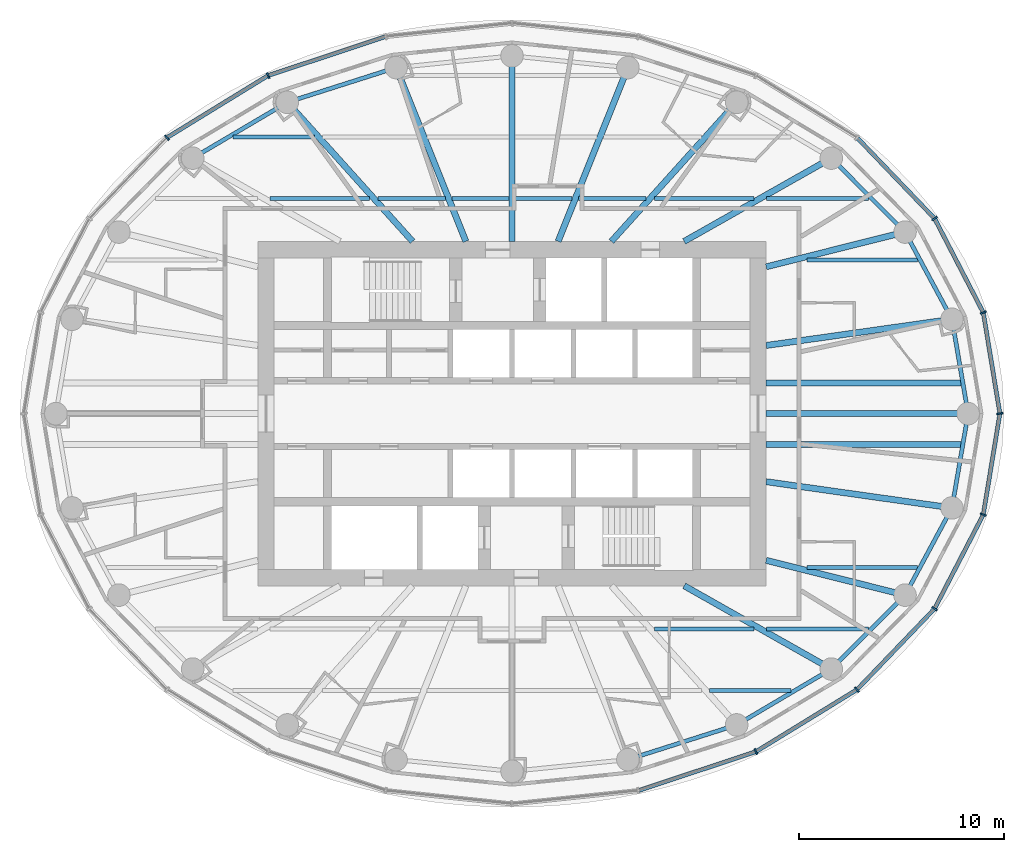
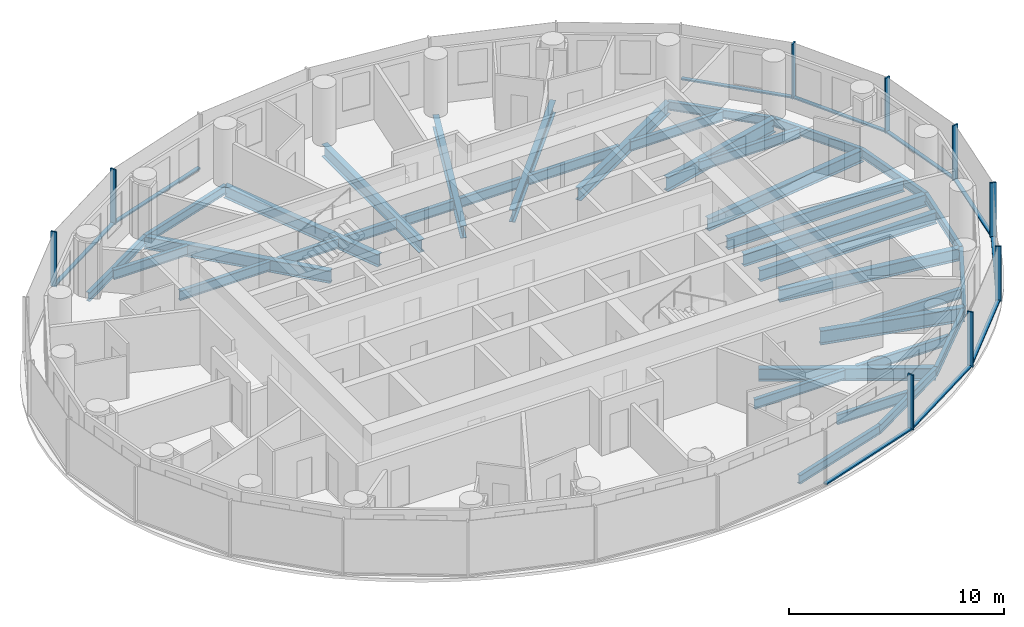
# One storey, part 3 of 13: 37 beams, 19 members, 3 elements without a shape of their own.
"""IFC4 building model written with IfcOpenShell, lengths in metres."""

from ifc_helpers import new_model, si_unit, direction, frame, origin, origin_2d, place, context, subcontext, project, spatial, rectangle, i_section, extrude, material, material_profile, profile_set, type_object, element, aggregate, save


model = new_model("IFC4")

# Units and contexts
model_context = context("Model", 3, precision=1e-05, world=origin(), true_north=direction((0.0, 1.0)))
body_context = subcontext(model_context, "Body", "Model", "MODEL_VIEW")
ifc_project = project(units=[si_unit("LENGTHUNIT", "METRE"), si_unit("AREAUNIT", "SQUARE_METRE"), si_unit("VOLUMEUNIT", "CUBIC_METRE"), si_unit("PLANEANGLEUNIT", "RADIAN"), si_unit("MASSUNIT", "GRAM", prefix="KILO")], contexts=[model_context])

# Site, building, storey
site_placement = place(None, origin())
site = spatial("IfcSite", under=ifc_project, at=site_placement, CompositionType="ELEMENT")
building_placement = place(site_placement, origin())
building = spatial("IfcBuilding", under=site, at=building_placement, Name="Hankou Lantern Tower", CompositionType="ELEMENT")
storey_placement = place(building_placement, frame((0.0, 0.0, 163.199951171875)))
storey = spatial("IfcBuildingStorey", under=building, at=storey_placement, Name="L43", CompositionType="ELEMENT", Elevation=163.199951171875)

# Beams
ifc_material_1 = material(Name="Steel Q355B", Category="steel")
ifc_material_profile_1 = material_profile(ifc_material_1, i_section(OverallWidth=0.199951171875, OverallDepth=0.5, WebThickness=0.010009765625, FlangeThickness=0.01611328125, FilletRadius=0.012939453125, at=origin_2d()), Name="HN500x200x10x16")
ifc_profile_set_1 = profile_set([ifc_material_profile_1], Name="Steel Q355B")
beam_type_1 = type_object("IfcBeamType", Name="EB5 RING BEAM HN500x200x10x16", PredefinedType="SPANDREL", material=ifc_profile_set_1)
beam_1_placement = place(storey_placement, frame((22.25, 0.0, -0.429931640625), z_axis=(-0.168680718946, 0.985670743735, 0.0), x_axis=(-0.985670743735, -0.168680718946, 0.0)))
element("IfcBeam", 1, at=beam_1_placement, inside=storey, type_object=beam_type_1, Name="Ring beam R01-R02 L43", PredefinedType="SPANDREL", context=body_context, shape_type="SweptSolid", body=[
    extrude(i_section(OverallWidth=0.199951171875, OverallDepth=0.5, WebThickness=0.010009765625, FlangeThickness=0.01611328125, FilletRadius=0.012939453125, at=origin_2d()), origin(), (0.0, 0.0, 1.0), 4.667724609375),
])
beam_2_placement = place(storey_placement, frame((21.462646484375, 4.600830078125, -0.429931640625), z_axis=(-0.474051612334, 0.880497057828, 0.0), x_axis=(-0.880497057828, -0.474051612334, 0.0)))
element("IfcBeam", 2, at=beam_2_placement, inside=storey, type_object=beam_type_1, Name="Ring beam R02-R03 L43", PredefinedType="SPANDREL", context=body_context, shape_type="SweptSolid", body=[
    extrude(i_section(OverallWidth=0.199951171875, OverallDepth=0.5, WebThickness=0.010009765625, FlangeThickness=0.01611328125, FilletRadius=0.012939453125, at=origin_2d()), origin(), (0.0, 0.0, 1.0), 4.831787109375),
])
beam_3_placement = place(storey_placement, frame((19.172119140625, 8.855224609375, -0.429931640625), z_axis=(-0.706147278092, 0.708064984054, 0.0), x_axis=(-0.708064984054, -0.706147278092, 0.0)))
element("IfcBeam", 3, at=beam_3_placement, inside=storey, type_object=beam_type_1, Name="Ring beam R03-R04 L43", PredefinedType="SPANDREL", context=body_context, shape_type="SweptSolid", body=[
    extrude(i_section(OverallWidth=0.199951171875, OverallDepth=0.5, WebThickness=0.010009765625, FlangeThickness=0.01611328125, FilletRadius=0.012939453125, at=origin_2d()), origin(), (0.0, 0.0, 1.0), 5.09228515625),
])
beam_4_placement = place(storey_placement, frame((-5.65283203125, 16.87744140625, -0.429931640625), z_axis=(-0.952790404271, -0.30362879562, 0.0), x_axis=(0.30362879562, -0.952790404271, 0.0)))
element("IfcBeam", 4, at=beam_4_placement, inside=storey, type_object=beam_type_1, Name="Ring beam R08-R09 L43", PredefinedType="SPANDREL", context=body_context, shape_type="SweptSolid", body=[
    extrude(i_section(OverallWidth=0.199951171875, OverallDepth=0.5, WebThickness=0.010009765625, FlangeThickness=0.01611328125, FilletRadius=0.012939453125, at=origin_2d()), origin(), (0.0, 0.0, 1.0), 5.56982421875),
])
beam_5_placement = place(storey_placement, frame((-10.959716796875, 15.186279296875, -0.429931640625), z_axis=(-0.861135888339, -0.508374843806, 0.0), x_axis=(0.508374843806, -0.861135888339, 0.0)))
element("IfcBeam", 5, at=beam_5_placement, inside=storey, type_object=beam_type_1, Name="Ring beam R09-R10 L43", PredefinedType="SPANDREL", context=body_context, shape_type="SweptSolid", body=[
    extrude(i_section(OverallWidth=0.199951171875, OverallDepth=0.5, WebThickness=0.010009765625, FlangeThickness=0.01611328125, FilletRadius=0.012939453125, at=origin_2d()), origin(), (0.0, 0.0, 1.0), 5.36083984375),
])
beam_6_placement = place(storey_placement, frame((5.65283203125, -16.87744140625, -0.429931640625), z_axis=(0.952790404271, 0.30362879562, 0.0), x_axis=(-0.30362879562, 0.952790404271, 0.0)))
element("IfcBeam", 6, at=beam_6_placement, inside=storey, type_object=beam_type_1, Name="Ring beam R20-R21 L43", PredefinedType="SPANDREL", context=body_context, shape_type="SweptSolid", body=[
    extrude(i_section(OverallWidth=0.199951171875, OverallDepth=0.5, WebThickness=0.010009765625, FlangeThickness=0.01611328125, FilletRadius=0.012939453125, at=origin_2d()), origin(), (0.0, 0.0, 1.0), 5.56982421875),
])
beam_7_placement = place(storey_placement, frame((10.959716796875, -15.186279296875, -0.429931640625), z_axis=(0.861135888339, 0.508374843806, 0.0), x_axis=(-0.508374843806, 0.861135888339, 0.0)))
element("IfcBeam", 7, at=beam_7_placement, inside=storey, type_object=beam_type_1, Name="Ring beam R21-R22 L43", PredefinedType="SPANDREL", context=body_context, shape_type="SweptSolid", body=[
    extrude(i_section(OverallWidth=0.199951171875, OverallDepth=0.5, WebThickness=0.010009765625, FlangeThickness=0.01611328125, FilletRadius=0.012939453125, at=origin_2d()), origin(), (0.0, 0.0, 1.0), 5.36083984375),
])
beam_8_placement = place(storey_placement, frame((15.576171875, -12.4609375, -0.429931640625), z_axis=(0.706147278092, 0.708064984054, 0.0), x_axis=(-0.708064984054, 0.706147278092, 0.0)))
element("IfcBeam", 8, at=beam_8_placement, inside=storey, type_object=beam_type_1, Name="Ring beam R22-R23 L43", PredefinedType="SPANDREL", context=body_context, shape_type="SweptSolid", body=[
    extrude(i_section(OverallWidth=0.199951171875, OverallDepth=0.5, WebThickness=0.010009765625, FlangeThickness=0.01611328125, FilletRadius=0.012939453125, at=origin_2d()), origin(), (0.0, 0.0, 1.0), 5.09228515625),
])
beam_9_placement = place(storey_placement, frame((19.172119140625, -8.855224609375, -0.429931640625), z_axis=(0.474051612334, 0.880497057828, 0.0), x_axis=(-0.880497057828, 0.474051612334, 0.0)))
element("IfcBeam", 9, at=beam_9_placement, inside=storey, type_object=beam_type_1, Name="Ring beam R23-R24 L43", PredefinedType="SPANDREL", context=body_context, shape_type="SweptSolid", body=[
    extrude(i_section(OverallWidth=0.199951171875, OverallDepth=0.5, WebThickness=0.010009765625, FlangeThickness=0.01611328125, FilletRadius=0.012939453125, at=origin_2d()), origin(), (0.0, 0.0, 1.0), 4.831787109375),
])
beam_10_placement = place(storey_placement, frame((21.462646484375, -4.600830078125, -0.429931640625), z_axis=(0.168680718946, 0.985670743735, 0.0), x_axis=(-0.985670743735, 0.168680718946, 0.0)))
element("IfcBeam", 10, at=beam_10_placement, inside=storey, type_object=beam_type_1, Name="Ring beam R24-R01 L43", PredefinedType="SPANDREL", context=body_context, shape_type="SweptSolid", body=[
    extrude(i_section(OverallWidth=0.199951171875, OverallDepth=0.5, WebThickness=0.010009765625, FlangeThickness=0.01611328125, FilletRadius=0.012939453125, at=origin_2d()), origin(), (0.0, 0.0, 1.0), 4.667724609375),
])

# Curtain wall, members
ifc_material_2 = material(Name="Glass, dark grey tinted laminated", Category="glass")
curtain_wall_type = type_object("IfcCurtainWallType", Name="CWC OUTER SKIN HIGH-RISE", PredefinedType="USERDEFINED", material=ifc_material_2)
curtain_wall_1_placement = place(storey_placement, origin())
curtain_wall_1 = element("IfcCurtainWall", 11, at=curtain_wall_1_placement, inside=storey, type_object=curtain_wall_type, Name="CWC L43 OS1", ObjectType="OUTER SKIN HIGH-RISE", PredefinedType="USERDEFINED")
ifc_material_3 = material(Name="Aluminium, black anodised", Category="aluminium")
ifc_material_profile_2 = material_profile(ifc_material_3, rectangle(XDim=0.080078125, YDim=0.300048828125, at=origin_2d()), Name="MU1 80X300")
ifc_profile_set_2 = profile_set([ifc_material_profile_2], Name="Aluminium, black anodised")
member_type_1 = type_object("IfcMemberType", Name="MU1 OUTER SKIN MULLION 80X300", PredefinedType="MULLION", material=ifc_profile_set_2)
member_1_placement = place(storey_placement, frame((23.800048828125, 0.0, 0.0), z_axis=(0.0, 0.0, 1.0), x_axis=(-0.162381515188, 0.986728049427, 0.0)))
member_1 = element("IfcMember", 12, at=member_1_placement, type_object=member_type_1, Name="CWC mullion 1", PredefinedType="MULLION", context=body_context, shape_type="SweptSolid", body=[
    extrude(rectangle(XDim=0.080078125, YDim=0.300048828125, at=origin_2d()), origin(), (0.0, 0.0, 1.0), 3.1201171875),
])
member_2_placement = place(storey_placement, frame((22.989013671875, 4.927978515625, 0.0), z_axis=(0.0, 0.0, 1.0), x_axis=(-0.317595577365, 0.94822626479, 0.0)))
member_2 = element("IfcMember", 13, at=member_2_placement, type_object=member_type_1, Name="CWC mullion 2", PredefinedType="MULLION", context=body_context, shape_type="SweptSolid", body=[
    extrude(rectangle(XDim=0.080078125, YDim=0.300048828125, at=origin_2d()), origin(), (0.0, 0.0, 1.0), 3.1201171875),
])
member_3_placement = place(storey_placement, frame((20.611328125, 9.52001953125, 0.0), z_axis=(0.0, 0.0, 1.0), x_axis=(-0.585205735974, 0.810884854084, 0.0)))
member_3 = element("IfcMember", 14, at=member_3_placement, type_object=member_type_1, Name="CWC mullion 3", PredefinedType="MULLION", context=body_context, shape_type="SweptSolid", body=[
    extrude(rectangle(XDim=0.080078125, YDim=0.300048828125, at=origin_2d()), origin(), (0.0, 0.0, 1.0), 3.1201171875),
])

curtain_wall_2_placement = place(storey_placement, origin())
curtain_wall_2 = element("IfcCurtainWall", 15, at=curtain_wall_2_placement, inside=storey, type_object=curtain_wall_type, Name="CWC L43 OS2", ObjectType="OUTER SKIN HIGH-RISE", PredefinedType="USERDEFINED")
member_4_placement = place(storey_placement, frame((-11.89990234375, 16.489013671875, 0.0), z_axis=(0.0, 0.0, 1.0), x_axis=(-0.907841299004, -0.419313934686, 0.0)))
member_4 = element("IfcMember", 16, at=member_4_placement, type_object=member_type_1, Name="CWC mullion 3", PredefinedType="MULLION", context=body_context, shape_type="SweptSolid", body=[
    extrude(rectangle(XDim=0.080078125, YDim=0.300048828125, at=origin_2d()), origin(), (0.0, 0.0, 1.0), 3.1201171875),
])
member_5_placement = place(storey_placement, frame((-16.8291015625, 13.46337890625, 0.0), z_axis=(0.0, 0.0, 1.0), x_axis=(-0.780868809444, -0.624695047553, 0.0)))
member_5 = element("IfcMember", 17, at=member_5_placement, type_object=member_type_1, Name="CWC mullion 4", PredefinedType="MULLION", context=body_context, shape_type="SweptSolid", body=[
    extrude(rectangle(XDim=0.080078125, YDim=0.300048828125, at=origin_2d()), origin(), (0.0, 0.0, 1.0), 3.1201171875),
])

curtain_wall_3_placement = place(storey_placement, origin())
curtain_wall_3 = element("IfcCurtainWall", 18, at=curtain_wall_3_placement, inside=storey, type_object=curtain_wall_type, Name="CWC L43 OS4", ObjectType="OUTER SKIN HIGH-RISE", PredefinedType="USERDEFINED")
member_6_placement = place(storey_placement, frame((11.89990234375, -16.489013671875, 0.0), z_axis=(0.0, 0.0, 1.0), x_axis=(0.907841299004, 0.419313934686, 0.0)))
member_6 = element("IfcMember", 19, at=member_6_placement, type_object=member_type_1, Name="CWC mullion 3", PredefinedType="MULLION", context=body_context, shape_type="SweptSolid", body=[
    extrude(rectangle(XDim=0.080078125, YDim=0.300048828125, at=origin_2d()), origin(), (0.0, 0.0, 1.0), 3.1201171875),
])
member_7_placement = place(storey_placement, frame((16.8291015625, -13.46337890625, 0.0), z_axis=(0.0, 0.0, 1.0), x_axis=(0.780868809444, 0.624695047553, 0.0)))
member_7 = element("IfcMember", 20, at=member_7_placement, type_object=member_type_1, Name="CWC mullion 4", PredefinedType="MULLION", context=body_context, shape_type="SweptSolid", body=[
    extrude(rectangle(XDim=0.080078125, YDim=0.300048828125, at=origin_2d()), origin(), (0.0, 0.0, 1.0), 3.1201171875),
])
member_8_placement = place(storey_placement, frame((20.611328125, -9.52001953125, 0.0), z_axis=(0.0, 0.0, 1.0), x_axis=(0.585205735974, 0.810884854084, 0.0)))
member_8 = element("IfcMember", 21, at=member_8_placement, type_object=member_type_1, Name="CWC mullion 5", PredefinedType="MULLION", context=body_context, shape_type="SweptSolid", body=[
    extrude(rectangle(XDim=0.080078125, YDim=0.300048828125, at=origin_2d()), origin(), (0.0, 0.0, 1.0), 3.1201171875),
])
member_9_placement = place(storey_placement, frame((22.989013671875, -4.927978515625, 0.0), z_axis=(0.0, 0.0, 1.0), x_axis=(0.317595577365, 0.94822626479, 0.0)))
member_9 = element("IfcMember", 22, at=member_9_placement, type_object=member_type_1, Name="CWC mullion 6", PredefinedType="MULLION", context=body_context, shape_type="SweptSolid", body=[
    extrude(rectangle(XDim=0.080078125, YDim=0.300048828125, at=origin_2d()), origin(), (0.0, 0.0, 1.0), 3.1201171875),
])

# Beams
ifc_material_4 = material(Name="Steel Q355B", Category="steel")
ifc_material_profile_3 = material_profile(ifc_material_4, i_section(OverallWidth=0.300048828125, OverallDepth=0.800048828125, WebThickness=0.013916015625, FlangeThickness=0.02587890625, FilletRadius=0.01806640625, at=origin_2d()), Name="HN800x300x14x26")
ifc_profile_set_3 = profile_set([ifc_material_profile_3], Name="Steel Q355B")
beam_type_2 = type_object("IfcBeamType", Name="RB11 RADIAL BEAM HN800x300x14x26", PredefinedType="BEAM", material=ifc_profile_set_3)
for number, where, z_axis, x_axis, name in (
    (23, (12.39990234375, 7.1591796875, -0.579833984375), (0.970041619568, 0.242938791274, 0.0), (-0.242938791274, 0.970041619568, 0.0), "Radial beam R03 L43"),
    (24, (12.39990234375, -7.1591796875, -0.579833984375), (0.970041619568, -0.242938791274, 0.0), (0.242938791274, 0.970041619568, 0.0), "Radial beam R23 L43"),
):
    element("IfcBeam", number, at=place(storey_placement, frame(where, z_axis=z_axis, x_axis=x_axis)), inside=storey, type_object=beam_type_2, Name=name, PredefinedType="BEAM", context=body_context, shape_type="SweptSolid", body=[
        extrude(i_section(OverallWidth=0.300048828125, OverallDepth=0.800048828125, WebThickness=0.013916015625, FlangeThickness=0.02587890625, FilletRadius=0.01806640625, at=origin_2d()), origin(), (0.0, 0.0, 1.0), 6.9814453125),
    ])
ifc_material_5 = material(Name="Steel Q355B", Category="steel")
ifc_material_profile_4 = material_profile(ifc_material_5, i_section(OverallWidth=0.300048828125, OverallDepth=0.699951171875, WebThickness=0.012939453125, FlangeThickness=0.02392578125, FilletRadius=0.01806640625, at=origin_2d()), Name="HN700x300x13x24")
ifc_profile_set_4 = profile_set([ifc_material_profile_4], Name="Steel Q355B")
beam_type_3 = type_object("IfcBeamType", Name="RB9 RADIAL BEAM HN700x300x13x24", PredefinedType="BEAM", material=ifc_profile_set_4)
beam_11_placement = place(storey_placement, frame((12.39990234375, 0.0, -0.530029296875), z_axis=(1.0, 0.0, 0.0), x_axis=(0.0, 1.0, 0.0)))
element("IfcBeam", 25, at=beam_11_placement, inside=storey, type_object=beam_type_3, Name="Radial beam R01 L43", PredefinedType="BEAM", context=body_context, shape_type="SweptSolid", body=[
    extrude(i_section(OverallWidth=0.300048828125, OverallDepth=0.699951171875, WebThickness=0.012939453125, FlangeThickness=0.02392578125, FilletRadius=0.01806640625, at=origin_2d()), origin(), (0.0, 0.0, 1.0), 9.85009765625),
])
beam_12_placement = place(storey_placement, frame((12.39990234375, 3.322509765625, -0.530029296875), z_axis=(0.990198154617, 0.13966966239, 0.0), x_axis=(-0.13966966239, 0.990198154617, 0.0)))
element("IfcBeam", 26, at=beam_12_placement, inside=storey, type_object=beam_type_3, Name="Radial beam R02 L43", PredefinedType="BEAM", context=body_context, shape_type="SweptSolid", body=[
    extrude(i_section(OverallWidth=0.300048828125, OverallDepth=0.699951171875, WebThickness=0.012939453125, FlangeThickness=0.02392578125, FilletRadius=0.01806640625, at=origin_2d()), origin(), (0.0, 0.0, 1.0), 9.15234375),
])
beam_13_placement = place(storey_placement, frame((8.39990234375, 8.39990234375, -0.530029296875), z_axis=(0.870309058024, 0.492505983234, 0.0), x_axis=(-0.492505983234, 0.870309058024, 0.0)))
element("IfcBeam", 27, at=beam_13_placement, inside=storey, type_object=beam_type_3, Name="Radial beam R04 L43", PredefinedType="BEAM", context=body_context, shape_type="SweptSolid", body=[
    extrude(i_section(OverallWidth=0.300048828125, OverallDepth=0.699951171875, WebThickness=0.012939453125, FlangeThickness=0.02392578125, FilletRadius=0.01806640625, at=origin_2d()), origin(), (0.0, 0.0, 1.0), 8.24560546875),
])
beam_14_placement = place(storey_placement, frame((4.849853515625, 8.39990234375, -0.530029296875), z_axis=(0.669093231314, 0.743178476418, 0.0), x_axis=(-0.743178476418, 0.669093231314, 0.0)))
element("IfcBeam", 28, at=beam_14_placement, inside=storey, type_object=beam_type_3, Name="Radial beam R05 L43", PredefinedType="BEAM", context=body_context, shape_type="SweptSolid", body=[
    extrude(i_section(OverallWidth=0.300048828125, OverallDepth=0.699951171875, WebThickness=0.012939453125, FlangeThickness=0.02392578125, FilletRadius=0.01806640625, at=origin_2d()), origin(), (0.0, 0.0, 1.0), 9.131591796875),
])
beam_15_placement = place(storey_placement, frame((2.250732421875, 8.39990234375, -0.530029296875), z_axis=(0.372436468133, 0.928057690666, 0.0), x_axis=(-0.928057690666, 0.372436468133, 0.0)))
element("IfcBeam", 29, at=beam_15_placement, inside=storey, type_object=beam_type_3, Name="Radial beam R06 L43", PredefinedType="BEAM", context=body_context, shape_type="SweptSolid", body=[
    extrude(i_section(OverallWidth=0.300048828125, OverallDepth=0.699951171875, WebThickness=0.012939453125, FlangeThickness=0.02392578125, FilletRadius=0.01806640625, at=origin_2d()), origin(), (0.0, 0.0, 1.0), 9.134765625),
])
beam_16_placement = place(storey_placement, frame((0.0, 8.39990234375, -0.530029296875), z_axis=(0.0, 1.0, 0.0), x_axis=(-1.0, 0.0, 0.0)))
element("IfcBeam", 30, at=beam_16_placement, inside=storey, type_object=beam_type_3, Name="Radial beam R07 L43", PredefinedType="BEAM", context=body_context, shape_type="SweptSolid", body=[
    extrude(i_section(OverallWidth=0.300048828125, OverallDepth=0.699951171875, WebThickness=0.012939453125, FlangeThickness=0.02392578125, FilletRadius=0.01806640625, at=origin_2d()), origin(), (0.0, 0.0, 1.0), 9.050048828125),
])
beam_17_placement = place(storey_placement, frame((-2.250732421875, 8.39990234375, -0.530029296875), z_axis=(-0.372436468133, 0.928057690666, 0.0), x_axis=(-0.928057690666, -0.372436468133, 0.0)))
element("IfcBeam", 31, at=beam_17_placement, inside=storey, type_object=beam_type_3, Name="Radial beam R08 L43", PredefinedType="BEAM", context=body_context, shape_type="SweptSolid", body=[
    extrude(i_section(OverallWidth=0.300048828125, OverallDepth=0.699951171875, WebThickness=0.012939453125, FlangeThickness=0.02392578125, FilletRadius=0.01806640625, at=origin_2d()), origin(), (0.0, 0.0, 1.0), 9.134765625),
])
beam_18_placement = place(storey_placement, frame((-4.849853515625, 8.39990234375, -0.530029296875), z_axis=(-0.669093231314, 0.743178476418, 0.0), x_axis=(-0.743178476418, -0.669093231314, 0.0)))
element("IfcBeam", 32, at=beam_18_placement, inside=storey, type_object=beam_type_3, Name="Radial beam R09 L43", PredefinedType="BEAM", context=body_context, shape_type="SweptSolid", body=[
    extrude(i_section(OverallWidth=0.300048828125, OverallDepth=0.699951171875, WebThickness=0.012939453125, FlangeThickness=0.02392578125, FilletRadius=0.01806640625, at=origin_2d()), origin(), (0.0, 0.0, 1.0), 9.131591796875),
])
beam_19_placement = place(storey_placement, frame((8.39990234375, -8.39990234375, -0.530029296875), z_axis=(0.870309058024, -0.492505983234, 0.0), x_axis=(0.492505983234, 0.870309058024, 0.0)))
element("IfcBeam", 33, at=beam_19_placement, inside=storey, type_object=beam_type_3, Name="Radial beam R22 L43", PredefinedType="BEAM", context=body_context, shape_type="SweptSolid", body=[
    extrude(i_section(OverallWidth=0.300048828125, OverallDepth=0.699951171875, WebThickness=0.012939453125, FlangeThickness=0.02392578125, FilletRadius=0.01806640625, at=origin_2d()), origin(), (0.0, 0.0, 1.0), 8.24560546875),
])
beam_20_placement = place(storey_placement, frame((12.39990234375, -3.322509765625, -0.530029296875), z_axis=(0.990198154617, -0.13966966239, 0.0), x_axis=(0.13966966239, 0.990198154617, 0.0)))
element("IfcBeam", 34, at=beam_20_placement, inside=storey, type_object=beam_type_3, Name="Radial beam R24 L43", PredefinedType="BEAM", context=body_context, shape_type="SweptSolid", body=[
    extrude(i_section(OverallWidth=0.300048828125, OverallDepth=0.699951171875, WebThickness=0.012939453125, FlangeThickness=0.02392578125, FilletRadius=0.01806640625, at=origin_2d()), origin(), (0.0, 0.0, 1.0), 9.15234375),
])
ifc_material_6 = material(Name="Steel Q355B", Category="steel")
ifc_material_profile_5 = material_profile(ifc_material_6, i_section(OverallWidth=0.199951171875, OverallDepth=0.550048828125, WebThickness=0.010009765625, FlangeThickness=0.01611328125, FilletRadius=0.012939453125, at=origin_2d()), Name="HN550x200x10x16")
ifc_profile_set_5 = profile_set([ifc_material_profile_5], Name="Steel Q355B")
beam_type_4 = type_object("IfcBeamType", Name="SB6 SECONDARY BEAM HN550x200x10x16", PredefinedType="JOIST", material=ifc_profile_set_5)
beam_21_placement = place(storey_placement, frame((9.643310546875, -13.5, -0.454833984375), z_axis=(1.0, 0.0, 0.0), x_axis=(0.0, 1.0, 0.0)))
element("IfcBeam", 35, at=beam_21_placement, inside=storey, type_object=beam_type_4, Name="Floor joist J006 L43", PredefinedType="JOIST", context=body_context, shape_type="SweptSolid", body=[
    extrude(i_section(OverallWidth=0.199951171875, OverallDepth=0.550048828125, WebThickness=0.010009765625, FlangeThickness=0.01611328125, FilletRadius=0.012939453125, at=origin_2d()), origin(), (0.0, 0.0, 1.0), 3.97607421875),
])
beam_22_placement = place(storey_placement, frame((6.9423828125, -10.5, -0.454833984375), z_axis=(1.0, 0.0, 0.0), x_axis=(0.0, 1.0, 0.0)))
element("IfcBeam", 36, at=beam_22_placement, inside=storey, type_object=beam_type_4, Name="Floor joist J013 L43", PredefinedType="JOIST", context=body_context, shape_type="SweptSolid", body=[
    extrude(i_section(OverallWidth=0.199951171875, OverallDepth=0.550048828125, WebThickness=0.010009765625, FlangeThickness=0.01611328125, FilletRadius=0.012939453125, at=origin_2d()), origin(), (0.0, 0.0, 1.0), 4.864013671875),
])
beam_23_placement = place(storey_placement, frame((12.41552734375, -10.5, -0.454833984375), z_axis=(1.0, 0.0, 0.0), x_axis=(0.0, 1.0, 0.0)))
element("IfcBeam", 37, at=beam_23_placement, inside=storey, type_object=beam_type_4, Name="Floor joist J014 L43", PredefinedType="JOIST", context=body_context, shape_type="SweptSolid", body=[
    extrude(i_section(OverallWidth=0.199951171875, OverallDepth=0.550048828125, WebThickness=0.010009765625, FlangeThickness=0.01611328125, FilletRadius=0.012939453125, at=origin_2d()), origin(), (0.0, 0.0, 1.0), 4.97509765625),
])
for number, where, z_axis, x_axis, name in (
    (38, (14.37841796875, -7.5, -0.454833984375), (1.0, 0.0, 0.0), (0.0, 1.0, 0.0), "Floor joist J016 L43"),
    (39, (14.37841796875, 7.5, -0.454833984375), (1.0, 0.0, 0.0), (0.0, 1.0, 0.0), "Floor joist J026 L43"),
):
    element("IfcBeam", number, at=place(storey_placement, frame(where, z_axis=z_axis, x_axis=x_axis)), inside=storey, type_object=beam_type_4, Name=name, PredefinedType="JOIST", context=body_context, shape_type="SweptSolid", body=[
        extrude(i_section(OverallWidth=0.199951171875, OverallDepth=0.550048828125, WebThickness=0.010009765625, FlangeThickness=0.01611328125, FilletRadius=0.012939453125, at=origin_2d()), origin(), (0.0, 0.0, 1.0), 5.409912109375),
    ])
beam_24_placement = place(storey_placement, frame((-11.806396484375, 10.5, -0.454833984375), z_axis=(1.0, 0.0, 0.0), x_axis=(0.0, 1.0, 0.0)))
element("IfcBeam", 40, at=beam_24_placement, inside=storey, type_object=beam_type_4, Name="Floor joist J028 L43", PredefinedType="JOIST", context=body_context, shape_type="SweptSolid", body=[
    extrude(i_section(OverallWidth=0.199951171875, OverallDepth=0.550048828125, WebThickness=0.010009765625, FlangeThickness=0.01611328125, FilletRadius=0.012939453125, at=origin_2d()), origin(), (0.0, 0.0, 1.0), 4.864013671875),
])
beam_25_placement = place(storey_placement, frame((-6.53857421875, 10.5, -0.454833984375), z_axis=(1.0, 0.0, 0.0), x_axis=(0.0, 1.0, 0.0)))
element("IfcBeam", 41, at=beam_25_placement, inside=storey, type_object=beam_type_4, Name="Floor joist J029 L43", PredefinedType="JOIST", context=body_context, shape_type="SweptSolid", body=[
    extrude(i_section(OverallWidth=0.199951171875, OverallDepth=0.550048828125, WebThickness=0.010009765625, FlangeThickness=0.01611328125, FilletRadius=0.012939453125, at=origin_2d()), origin(), (0.0, 0.0, 1.0), 3.283447265625),
])
for number, where, z_axis, x_axis, name in (
    (42, (-2.931884765625, 10.5, -0.454833984375), (1.0, 0.0, 0.0), (0.0, 1.0, 0.0), "Floor joist J030 L43"),
    (43, (0.14990234375, 10.5, -0.454833984375), (1.0, 0.0, 0.0), (0.0, 1.0, 0.0), "Floor joist J031 L43"),
):
    element("IfcBeam", number, at=place(storey_placement, frame(where, z_axis=z_axis, x_axis=x_axis)), inside=storey, type_object=beam_type_4, Name=name, PredefinedType="JOIST", context=body_context, shape_type="SweptSolid", body=[
        extrude(i_section(OverallWidth=0.199951171875, OverallDepth=0.550048828125, WebThickness=0.010009765625, FlangeThickness=0.01611328125, FilletRadius=0.012939453125, at=origin_2d()), origin(), (0.0, 0.0, 1.0), 2.781982421875),
    ])
beam_26_placement = place(storey_placement, frame((3.255126953125, 10.5, -0.454833984375), z_axis=(1.0, 0.0, 0.0), x_axis=(0.0, 1.0, 0.0)))
element("IfcBeam", 44, at=beam_26_placement, inside=storey, type_object=beam_type_4, Name="Floor joist J032 L43", PredefinedType="JOIST", context=body_context, shape_type="SweptSolid", body=[
    extrude(i_section(OverallWidth=0.199951171875, OverallDepth=0.550048828125, WebThickness=0.010009765625, FlangeThickness=0.01611328125, FilletRadius=0.012939453125, at=origin_2d()), origin(), (0.0, 0.0, 1.0), 3.283447265625),
])
beam_27_placement = place(storey_placement, frame((6.9423828125, 10.5, -0.454833984375), z_axis=(1.0, 0.0, 0.0), x_axis=(0.0, 1.0, 0.0)))
element("IfcBeam", 45, at=beam_27_placement, inside=storey, type_object=beam_type_4, Name="Floor joist J033 L43", PredefinedType="JOIST", context=body_context, shape_type="SweptSolid", body=[
    extrude(i_section(OverallWidth=0.199951171875, OverallDepth=0.550048828125, WebThickness=0.010009765625, FlangeThickness=0.01611328125, FilletRadius=0.012939453125, at=origin_2d()), origin(), (0.0, 0.0, 1.0), 4.864013671875),
])
beam_28_placement = place(storey_placement, frame((12.41552734375, 10.5, -0.454833984375), z_axis=(1.0, 0.0, 0.0), x_axis=(0.0, 1.0, 0.0)))
element("IfcBeam", 46, at=beam_28_placement, inside=storey, type_object=beam_type_4, Name="Floor joist J034 L43", PredefinedType="JOIST", context=body_context, shape_type="SweptSolid", body=[
    extrude(i_section(OverallWidth=0.199951171875, OverallDepth=0.550048828125, WebThickness=0.010009765625, FlangeThickness=0.01611328125, FilletRadius=0.012939453125, at=origin_2d()), origin(), (0.0, 0.0, 1.0), 4.97509765625),
])
beam_29_placement = place(storey_placement, frame((-13.619384765625, 13.5, -0.454833984375), z_axis=(1.0, 0.0, 0.0), x_axis=(0.0, 1.0, 0.0)))
element("IfcBeam", 47, at=beam_29_placement, inside=storey, type_object=beam_type_4, Name="Floor joist J035 L43", PredefinedType="JOIST", context=body_context, shape_type="SweptSolid", body=[
    extrude(i_section(OverallWidth=0.199951171875, OverallDepth=0.550048828125, WebThickness=0.010009765625, FlangeThickness=0.01611328125, FilletRadius=0.012939453125, at=origin_2d()), origin(), (0.0, 0.0, 1.0), 3.97607421875),
])
ifc_material_7 = material(Name="Steel Q355B", Category="steel")
ifc_material_profile_6 = material_profile(ifc_material_7, i_section(OverallWidth=0.300048828125, OverallDepth=0.64990234375, WebThickness=0.010986328125, FlangeThickness=0.01708984375, FilletRadius=0.01806640625, at=origin_2d()), Name="HN650x300x11x17")
ifc_profile_set_6 = profile_set([ifc_material_profile_6], Name="Steel Q355B")
beam_type_5 = type_object("IfcBeamType", Name="SB8 SECONDARY BEAM HN650x300x11x17", PredefinedType="JOIST", material=ifc_profile_set_6)
for number, where, z_axis, x_axis, name in (
    (48, (12.39990234375, -1.5, -0.5048828125), (1.0, 0.0, 0.0), (0.0, 1.0, 0.0), "Floor joist J020 L43"),
    (49, (12.39990234375, 1.5, -0.5048828125), (1.0, 0.0, 0.0), (0.0, 1.0, 0.0), "Floor joist J022 L43"),
):
    element("IfcBeam", number, at=place(storey_placement, frame(where, z_axis=z_axis, x_axis=x_axis)), inside=storey, type_object=beam_type_5, Name=name, PredefinedType="JOIST", context=body_context, shape_type="SweptSolid", body=[
        extrude(i_section(OverallWidth=0.300048828125, OverallDepth=0.64990234375, WebThickness=0.010986328125, FlangeThickness=0.01708984375, FilletRadius=0.01806640625, at=origin_2d()), origin(), (0.0, 0.0, 1.0), 9.491943359375),
    ])

# Member
ifc_material_8 = material(Name="Aluminium, black anodised", Category="aluminium")
ifc_material_profile_7 = material_profile(ifc_material_8, rectangle(XDim=0.199951171875, YDim=0.080078125, at=origin_2d()), Name="TR1 200X80")
ifc_profile_set_7 = profile_set([ifc_material_profile_7], Name="Aluminium, black anodised")
member_type_2 = type_object("IfcMemberType", Name="TR1 OUTER SKIN TRANSOM 200X80", PredefinedType="USERDEFINED", material=ifc_profile_set_7)
member_10_placement = place(storey_placement, frame((23.79345703125, 0.03955078125, 0.0400390625), z_axis=(-0.162360337061, 0.986731534385, 0.0), x_axis=(-0.986731534385, -0.162360337061, 0.0)))
member_10 = element("IfcMember", 50, at=member_10_placement, type_object=member_type_2, Name="CWC transom 1", ObjectType="TRANSOM", PredefinedType="USERDEFINED", context=body_context, shape_type="SweptSolid", body=[
    extrude(rectangle(XDim=0.199951171875, YDim=0.080078125, at=origin_2d()), origin(), (0.0, 0.0, 1.0), 4.9140625),
])

member_11_placement = place(storey_placement, frame((22.970703125, 4.96337890625, 0.0400390625), z_axis=(-0.459790772977, 0.888027277219, 0.0), x_axis=(-0.888027277219, -0.459790772977, 0.0)))
member_11 = element("IfcMember", 51, at=member_11_placement, type_object=member_type_2, Name="CWC transom 2", ObjectType="TRANSOM", PredefinedType="USERDEFINED", context=body_context, shape_type="SweptSolid", body=[
    extrude(rectangle(XDim=0.199951171875, YDim=0.080078125, at=origin_2d()), origin(), (0.0, 0.0, 1.0), 5.091064453125),
])

member_12_placement = place(storey_placement, frame((20.583740234375, 9.548828125, 0.0400390625), z_axis=(-0.692215543831, 0.721690820836, 0.0), x_axis=(-0.721690820836, -0.692215543831, 0.0)))
member_12 = element("IfcMember", 52, at=member_12_placement, type_object=member_type_2, Name="CWC transom 3", ObjectType="TRANSOM", PredefinedType="USERDEFINED", context=body_context, shape_type="SweptSolid", body=[
    extrude(rectangle(XDim=0.199951171875, YDim=0.080078125, at=origin_2d()), origin(), (0.0, 0.0, 1.0), 5.3837890625),
])

aggregate(curtain_wall_1, [member_1, member_2, member_3, member_10, member_11, member_12])

member_13_placement = place(storey_placement, frame((-6.19775390625, 18.378662109375, 0.0400390625), z_axis=(-0.949242327551, -0.314545709849, 0.0), x_axis=(0.314545709849, -0.949242327551, 0.0)))
member_13 = element("IfcMember", 53, at=member_13_placement, type_object=member_type_2, Name="CWC transom 2", ObjectType="TRANSOM", PredefinedType="USERDEFINED", context=body_context, shape_type="SweptSolid", body=[
    extrude(rectangle(XDim=0.199951171875, YDim=0.080078125, at=origin_2d()), origin(), (0.0, 0.0, 1.0), 5.96728515625),
])

member_14_placement = place(storey_placement, frame((-11.93408203125, 16.46826171875, 0.0400390625), z_axis=(-0.852229482357, -0.523168146394, 0.0), x_axis=(0.523168146394, -0.852229482357, 0.0)))
member_14 = element("IfcMember", 54, at=member_14_placement, type_object=member_type_2, Name="CWC transom 3", ObjectType="TRANSOM", PredefinedType="USERDEFINED", context=body_context, shape_type="SweptSolid", body=[
    extrude(rectangle(XDim=0.199951171875, YDim=0.080078125, at=origin_2d()), origin(), (0.0, 0.0, 1.0), 5.703857421875),
])

aggregate(curtain_wall_2, [member_4, member_5, member_13, member_14])

member_15_placement = place(storey_placement, frame((6.19775390625, -18.378662109375, 0.0400390625), z_axis=(0.949242327551, 0.314545709849, 0.0), x_axis=(-0.314545709849, 0.949242327551, 0.0)))
member_15 = element("IfcMember", 55, at=member_15_placement, type_object=member_type_2, Name="CWC transom 2", ObjectType="TRANSOM", PredefinedType="USERDEFINED", context=body_context, shape_type="SweptSolid", body=[
    extrude(rectangle(XDim=0.199951171875, YDim=0.080078125, at=origin_2d()), origin(), (0.0, 0.0, 1.0), 5.96728515625),
])

member_16_placement = place(storey_placement, frame((11.93408203125, -16.46826171875, 0.0400390625), z_axis=(0.852229482357, 0.523168146394, 0.0), x_axis=(-0.523168146394, 0.852229482357, 0.0)))
member_16 = element("IfcMember", 56, at=member_16_placement, type_object=member_type_2, Name="CWC transom 3", ObjectType="TRANSOM", PredefinedType="USERDEFINED", context=body_context, shape_type="SweptSolid", body=[
    extrude(rectangle(XDim=0.199951171875, YDim=0.080078125, at=origin_2d()), origin(), (0.0, 0.0, 1.0), 5.703857421875),
])

member_17_placement = place(storey_placement, frame((16.85693359375, -13.434326171875, 0.0400390625), z_axis=(0.692215543831, 0.721690820836, 0.0), x_axis=(-0.721690820836, 0.692215543831, 0.0)))
member_17 = element("IfcMember", 57, at=member_17_placement, type_object=member_type_2, Name="CWC transom 4", ObjectType="TRANSOM", PredefinedType="USERDEFINED", context=body_context, shape_type="SweptSolid", body=[
    extrude(rectangle(XDim=0.199951171875, YDim=0.080078125, at=origin_2d()), origin(), (0.0, 0.0, 1.0), 5.3837890625),
])

member_18_placement = place(storey_placement, frame((20.6298828125, -9.484375, 0.0400390625), z_axis=(0.459790772977, 0.888027277219, 0.0), x_axis=(-0.888027277219, 0.459790772977, 0.0)))
member_18 = element("IfcMember", 58, at=member_18_placement, type_object=member_type_2, Name="CWC transom 5", ObjectType="TRANSOM", PredefinedType="USERDEFINED", context=body_context, shape_type="SweptSolid", body=[
    extrude(rectangle(XDim=0.199951171875, YDim=0.080078125, at=origin_2d()), origin(), (0.0, 0.0, 1.0), 5.091064453125),
])

member_19_placement = place(storey_placement, frame((22.99560546875, -4.888427734375, 0.0400390625), z_axis=(0.162360337061, 0.986731534385, 0.0), x_axis=(-0.986731534385, 0.162360337061, 0.0)))
member_19 = element("IfcMember", 59, at=member_19_placement, type_object=member_type_2, Name="CWC transom 6", ObjectType="TRANSOM", PredefinedType="USERDEFINED", context=body_context, shape_type="SweptSolid", body=[
    extrude(rectangle(XDim=0.199951171875, YDim=0.080078125, at=origin_2d()), origin(), (0.0, 0.0, 1.0), 4.9140625),
])

aggregate(curtain_wall_3, [member_6, member_7, member_8, member_9, member_15, member_16, member_17, member_18, member_19])

save(model, "model.ifc")
